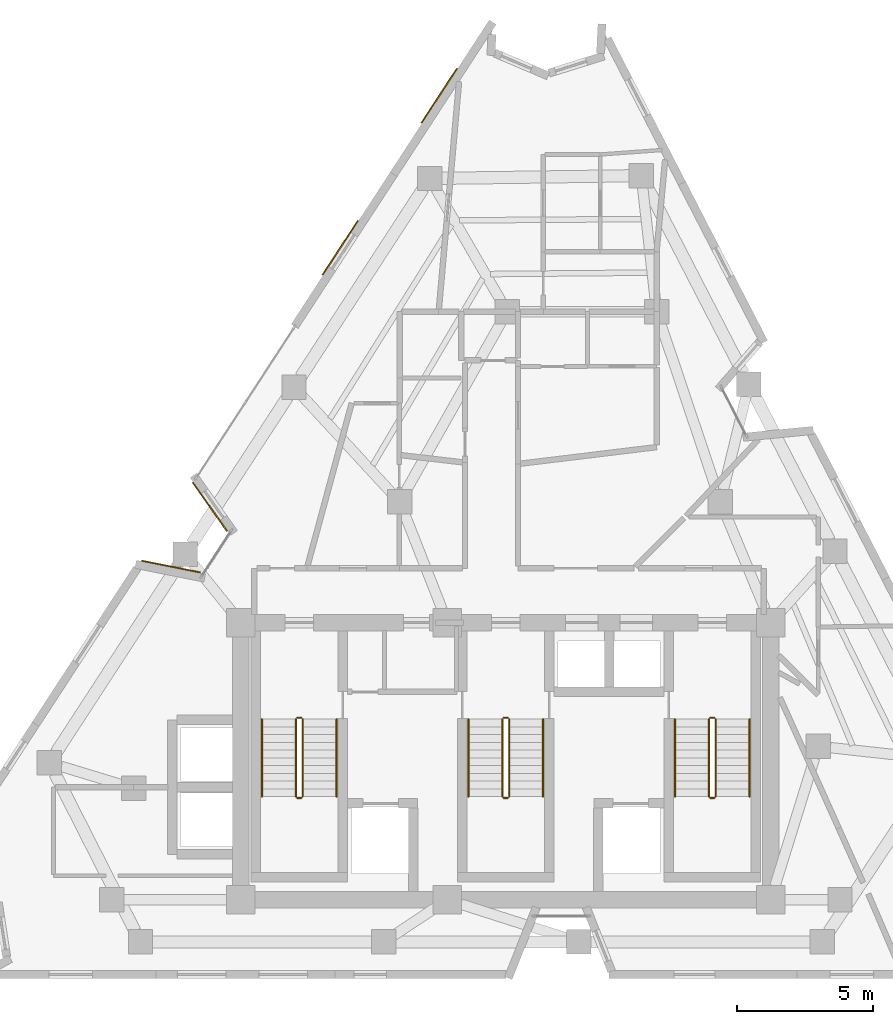
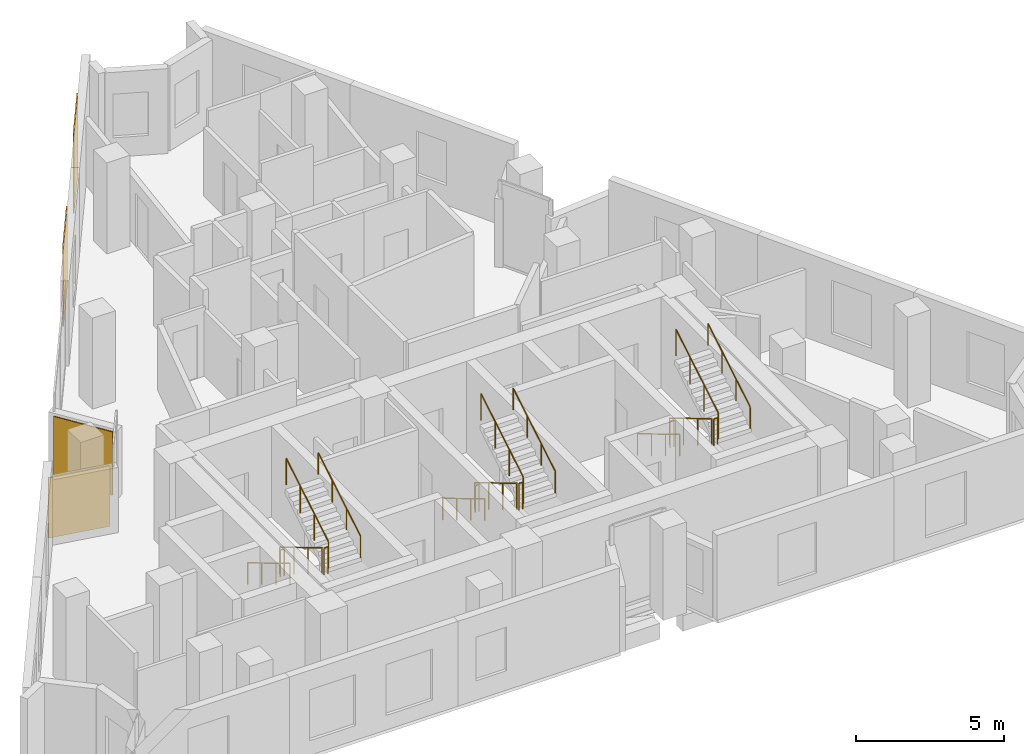
# One storey, part 9 of 9: 18 railings, 4 coverings.
"""IFC4 building model written with IfcOpenShell, lengths in metres."""

from ifc_helpers import new_model, si_unit, direction, frame, origin, origin_2d, place, context, subcontext, project, spatial, rectangle, circle, extrude, material, layer, layer_set, type_object, element, save


model = new_model("IFC4")

# Units and contexts
model_context = context("Model", 3, precision=1e-05, world=origin(), true_north=direction((0.0, 1.0)))
body_context = subcontext(model_context, "Body", "Model", "MODEL_VIEW")
ifc_project = project(units=[si_unit("LENGTHUNIT", "METRE"), si_unit("AREAUNIT", "SQUARE_METRE"), si_unit("VOLUMEUNIT", "CUBIC_METRE"), si_unit("PLANEANGLEUNIT", "RADIAN"), si_unit("MASSUNIT", "GRAM", prefix="KILO")], contexts=[model_context])

# Site, building, storey
site_placement = place(None, origin())
site = spatial("IfcSite", under=ifc_project, at=site_placement, CompositionType="ELEMENT")
building_placement = place(site_placement, origin())
building = spatial("IfcBuilding", under=site, at=building_placement, Name="Almagre Mirador Tower", CompositionType="ELEMENT")
storey_placement = place(building_placement, frame((0.0, 0.0, 214.5)))
storey = spatial("IfcBuildingStorey", under=building, at=storey_placement, Name="L55", CompositionType="ELEMENT", Elevation=214.5)

# Coverings
ifc_material_1 = material(Name="Almagre terracotta architectural cladding", Category="masonry")
ifc_layer = layer(ifc_material_1, 0.044921875)
ifc_layer_set = layer_set([ifc_layer], Name="Almagre terracotta architectural cladding")
covering_type = type_object("IfcCoveringType", Name="COV-CLAD-ALMAGRE", PredefinedType="CLADDING", material=ifc_layer_set)
covering_1_placement = place(storey_placement, frame((24.98095703125, 16.81298828125, 0.10009765625), z_axis=(0.0, 0.0, 1.0), x_axis=(0.980381414413, -0.197109822874, 0.0)))
element("IfcCovering", 1, at=covering_1_placement, inside=storey, type_object=covering_type, Name="L55 almagre terracotta pier cladding", PredefinedType="CLADDING", context=body_context, shape_type="SweptSolid", body=[
    extrude(rectangle(XDim=2.193115234375, YDim=0.044921875, at=origin_2d()), origin(), (0.0, 0.0, 1.0), 2.489990234375),
])
covering_2_placement = place(storey_placement, frame((26.41259765625, 19.012451171875, 0.10009765625), z_axis=(0.0, 0.0, 1.0), x_axis=(-0.576931374002, 0.816792623432, 0.0)))
element("IfcCovering", 2, at=covering_2_placement, inside=storey, type_object=covering_type, Name="L55 almagre terracotta pier cladding", PredefinedType="CLADDING", context=body_context, shape_type="SweptSolid", body=[
    extrude(rectangle(XDim=2.194091796875, YDim=0.044921875, at=origin_2d()), origin(), (0.0, 0.0, 1.0), 2.625),
])
for number, where, z_axis, x_axis, name in (
    (3, (31.20751953125, 28.546630859375, 0.10009765625), (0.0, 0.0, 1.0), (0.545619379119, 0.838033109805, 0.0), "L55 almagre terracotta pier cladding"),
    (4, (34.851318359375, 34.1435546875, 0.10009765625), (0.0, 0.0, 1.0), (0.545619379119, 0.838033109805, 0.0), "L55 almagre terracotta pier cladding"),
):
    element("IfcCovering", number, at=place(storey_placement, frame(where, z_axis=z_axis, x_axis=x_axis)), inside=storey, type_object=covering_type, Name=name, PredefinedType="CLADDING", context=body_context, shape_type="SweptSolid", body=[
        extrude(rectangle(XDim=2.39990234375, YDim=0.044921875, at=origin_2d()), origin(), (0.0, 0.0, 1.0), 3.300048828125),
    ])

# Railings
ifc_material_2 = material(Name="Painted galvanized steel", Category="steel")
railing_type_1 = type_object("IfcRailingType", Name="RLG-GRD-1100", PredefinedType="GUARDRAIL", material=ifc_material_2)
railing_1_placement = place(storey_placement, frame((29.574951171875, 11.199951171875, 0.17041015625)))
element("IfcRailing", 5, at=railing_1_placement, inside=storey, type_object=railing_type_1, Name="L55 ST-1 stair guard 1", PredefinedType="GUARDRAIL", context=body_context, shape_type="SweptSolid", body=[
    extrude(circle(Radius=0.02392578125, at=origin_2d()), frame((0.0, 0.0, 1.09619140625), z_axis=(0.0, -0.858199205511, 0.513316786848), x_axis=(1.0, 0.0, 0.0)), (0.0, 0.0, 1.0), 3.32080078125),
    extrude(circle(Radius=0.02099609375, at=origin_2d()), origin(), (0.0, 0.0, 1.0), 1.072021484375),
    extrude(circle(Radius=0.02099609375, at=origin_2d()), frame((0.0, -0.949951171875, 0.568115234375)), (0.0, 0.0, 1.0), 1.072021484375),
    extrude(circle(Radius=0.02099609375, at=origin_2d()), frame((0.0, -1.89990234375, 1.136474609375)), (0.0, 0.0, 1.0), 1.072021484375),
    extrude(circle(Radius=0.02099609375, at=origin_2d()), frame((0.0, -2.849853515625, 1.70458984375)), (0.0, 0.0, 1.0), 1.072021484375),
])
railing_2_placement = place(storey_placement, frame((29.625, 8.300048828125, 1.875)))
element("IfcRailing", 6, at=railing_2_placement, inside=storey, type_object=railing_type_1, Name="L55 ST-1 stair guard 2", PredefinedType="GUARDRAIL", context=body_context, shape_type="SweptSolid", body=[
    extrude(circle(Radius=0.02392578125, at=origin_2d()), frame((0.0, 0.0, 1.09619140625), z_axis=(1.0, 0.0, 0.0), x_axis=(0.0, 1.0, 0.0)), (0.0, 0.0, 1.0), 0.14990234375),
    extrude(circle(Radius=0.02099609375, at=origin_2d()), origin(), (0.0, 0.0, 1.0), 1.072021484375),
    extrude(circle(Radius=0.02099609375, at=origin_2d()), frame((0.14990234375, 0.0, 0.0)), (0.0, 0.0, 1.0), 1.072021484375),
])
railing_3_placement = place(storey_placement, frame((29.824951171875, 8.35009765625, 2.04541015625)))
element("IfcRailing", 7, at=railing_3_placement, inside=storey, type_object=railing_type_1, Name="L55 ST-1 stair guard 3", PredefinedType="GUARDRAIL", context=body_context, shape_type="SweptSolid", body=[
    extrude(circle(Radius=0.02392578125, at=origin_2d()), frame((0.0, 0.0, 1.09619140625), z_axis=(0.0, 0.858199205511, 0.513316786848), x_axis=(-1.0, 0.0, 0.0)), (0.0, 0.0, 1.0), 3.32080078125),
    extrude(circle(Radius=0.02099609375, at=origin_2d()), origin(), (0.0, 0.0, 1.0), 1.072021484375),
    extrude(circle(Radius=0.02099609375, at=origin_2d()), frame((0.0, 0.949951171875, 0.568115234375)), (0.0, 0.0, 1.0), 1.072021484375),
    extrude(circle(Radius=0.02099609375, at=origin_2d()), frame((0.0, 1.89990234375, 1.136474609375)), (0.0, 0.0, 1.0), 1.072021484375),
    extrude(circle(Radius=0.02099609375, at=origin_2d()), frame((0.0, 2.849853515625, 1.70458984375)), (0.0, 0.0, 1.0), 1.072021484375),
])
railing_4_placement = place(storey_placement, frame((29.625, 11.25, 0.0)))
element("IfcRailing", 8, at=railing_4_placement, inside=storey, type_object=railing_type_1, Name="L55 ST-1 stair guard 4", PredefinedType="GUARDRAIL", context=body_context, shape_type="SweptSolid", body=[
    extrude(circle(Radius=0.02392578125, at=origin_2d()), frame((0.0, 0.0, 1.09619140625), z_axis=(1.0, 0.0, 0.0), x_axis=(0.0, 1.0, 0.0)), (0.0, 0.0, 1.0), 0.14990234375),
    extrude(circle(Radius=0.02099609375, at=origin_2d()), origin(), (0.0, 0.0, 1.0), 1.072021484375),
    extrude(circle(Radius=0.02099609375, at=origin_2d()), frame((0.14990234375, 0.0, 0.0)), (0.0, 0.0, 1.0), 1.072021484375),
])
railing_5_placement = place(storey_placement, frame((37.175048828125, 11.199951171875, 0.17041015625)))
element("IfcRailing", 9, at=railing_5_placement, inside=storey, type_object=railing_type_1, Name="L55 ST-2 stair guard 1", PredefinedType="GUARDRAIL", context=body_context, shape_type="SweptSolid", body=[
    extrude(circle(Radius=0.02392578125, at=origin_2d()), frame((0.0, 0.0, 1.09619140625), z_axis=(0.0, -0.858199205511, 0.513316786848), x_axis=(1.0, 0.0, 0.0)), (0.0, 0.0, 1.0), 3.32080078125),
    extrude(circle(Radius=0.02099609375, at=origin_2d()), origin(), (0.0, 0.0, 1.0), 1.072021484375),
    extrude(circle(Radius=0.02099609375, at=origin_2d()), frame((0.0, -0.949951171875, 0.568115234375)), (0.0, 0.0, 1.0), 1.072021484375),
    extrude(circle(Radius=0.02099609375, at=origin_2d()), frame((0.0, -1.89990234375, 1.136474609375)), (0.0, 0.0, 1.0), 1.072021484375),
    extrude(circle(Radius=0.02099609375, at=origin_2d()), frame((0.0, -2.849853515625, 1.70458984375)), (0.0, 0.0, 1.0), 1.072021484375),
])
railing_6_placement = place(storey_placement, frame((37.22509765625, 8.300048828125, 1.875)))
element("IfcRailing", 10, at=railing_6_placement, inside=storey, type_object=railing_type_1, Name="L55 ST-2 stair guard 2", PredefinedType="GUARDRAIL", context=body_context, shape_type="SweptSolid", body=[
    extrude(circle(Radius=0.02392578125, at=origin_2d()), frame((0.0, 0.0, 1.09619140625), z_axis=(1.0, 0.0, 0.0), x_axis=(0.0, 1.0, 0.0)), (0.0, 0.0, 1.0), 0.14990234375),
    extrude(circle(Radius=0.02099609375, at=origin_2d()), origin(), (0.0, 0.0, 1.0), 1.072021484375),
    extrude(circle(Radius=0.02099609375, at=origin_2d()), frame((0.14990234375, 0.0, 0.0)), (0.0, 0.0, 1.0), 1.072021484375),
])
railing_7_placement = place(storey_placement, frame((37.425048828125, 8.35009765625, 2.04541015625)))
element("IfcRailing", 11, at=railing_7_placement, inside=storey, type_object=railing_type_1, Name="L55 ST-2 stair guard 3", PredefinedType="GUARDRAIL", context=body_context, shape_type="SweptSolid", body=[
    extrude(circle(Radius=0.02392578125, at=origin_2d()), frame((0.0, 0.0, 1.09619140625), z_axis=(0.0, 0.858199205511, 0.513316786848), x_axis=(-1.0, 0.0, 0.0)), (0.0, 0.0, 1.0), 3.32080078125),
    extrude(circle(Radius=0.02099609375, at=origin_2d()), origin(), (0.0, 0.0, 1.0), 1.072021484375),
    extrude(circle(Radius=0.02099609375, at=origin_2d()), frame((0.0, 0.949951171875, 0.568115234375)), (0.0, 0.0, 1.0), 1.072021484375),
    extrude(circle(Radius=0.02099609375, at=origin_2d()), frame((0.0, 1.89990234375, 1.136474609375)), (0.0, 0.0, 1.0), 1.072021484375),
    extrude(circle(Radius=0.02099609375, at=origin_2d()), frame((0.0, 2.849853515625, 1.70458984375)), (0.0, 0.0, 1.0), 1.072021484375),
])
railing_8_placement = place(storey_placement, frame((37.22509765625, 11.25, 0.0)))
element("IfcRailing", 12, at=railing_8_placement, inside=storey, type_object=railing_type_1, Name="L55 ST-2 stair guard 4", PredefinedType="GUARDRAIL", context=body_context, shape_type="SweptSolid", body=[
    extrude(circle(Radius=0.02392578125, at=origin_2d()), frame((0.0, 0.0, 1.09619140625), z_axis=(1.0, 0.0, 0.0), x_axis=(0.0, 1.0, 0.0)), (0.0, 0.0, 1.0), 0.14990234375),
    extrude(circle(Radius=0.02099609375, at=origin_2d()), origin(), (0.0, 0.0, 1.0), 1.072021484375),
    extrude(circle(Radius=0.02099609375, at=origin_2d()), frame((0.14990234375, 0.0, 0.0)), (0.0, 0.0, 1.0), 1.072021484375),
])
railing_9_placement = place(storey_placement, frame((44.77490234375, 11.199951171875, 0.17041015625)))
element("IfcRailing", 13, at=railing_9_placement, inside=storey, type_object=railing_type_1, Name="L55 ST-3 stair guard 1", PredefinedType="GUARDRAIL", context=body_context, shape_type="SweptSolid", body=[
    extrude(circle(Radius=0.02392578125, at=origin_2d()), frame((0.0, 0.0, 1.09619140625), z_axis=(0.0, -0.858199205511, 0.513316786848), x_axis=(1.0, 0.0, 0.0)), (0.0, 0.0, 1.0), 3.32080078125),
    extrude(circle(Radius=0.02099609375, at=origin_2d()), origin(), (0.0, 0.0, 1.0), 1.072021484375),
    extrude(circle(Radius=0.02099609375, at=origin_2d()), frame((0.0, -0.949951171875, 0.568115234375)), (0.0, 0.0, 1.0), 1.072021484375),
    extrude(circle(Radius=0.02099609375, at=origin_2d()), frame((0.0, -1.89990234375, 1.136474609375)), (0.0, 0.0, 1.0), 1.072021484375),
    extrude(circle(Radius=0.02099609375, at=origin_2d()), frame((0.0, -2.849853515625, 1.70458984375)), (0.0, 0.0, 1.0), 1.072021484375),
])
railing_10_placement = place(storey_placement, frame((44.824951171875, 8.300048828125, 1.875)))
element("IfcRailing", 14, at=railing_10_placement, inside=storey, type_object=railing_type_1, Name="L55 ST-3 stair guard 2", PredefinedType="GUARDRAIL", context=body_context, shape_type="SweptSolid", body=[
    extrude(circle(Radius=0.02392578125, at=origin_2d()), frame((0.0, 0.0, 1.09619140625), z_axis=(1.0, 0.0, 0.0), x_axis=(0.0, 1.0, 0.0)), (0.0, 0.0, 1.0), 0.150146484375),
    extrude(circle(Radius=0.02099609375, at=origin_2d()), origin(), (0.0, 0.0, 1.0), 1.072021484375),
    extrude(circle(Radius=0.02099609375, at=origin_2d()), frame((0.150146484375, 0.0, 0.0)), (0.0, 0.0, 1.0), 1.072021484375),
])
railing_11_placement = place(storey_placement, frame((45.02490234375, 8.35009765625, 2.04541015625)))
element("IfcRailing", 15, at=railing_11_placement, inside=storey, type_object=railing_type_1, Name="L55 ST-3 stair guard 3", PredefinedType="GUARDRAIL", context=body_context, shape_type="SweptSolid", body=[
    extrude(circle(Radius=0.02392578125, at=origin_2d()), frame((0.0, 0.0, 1.09619140625), z_axis=(0.0, 0.858199205511, 0.513316786848), x_axis=(-1.0, 0.0, 0.0)), (0.0, 0.0, 1.0), 3.32080078125),
    extrude(circle(Radius=0.02099609375, at=origin_2d()), origin(), (0.0, 0.0, 1.0), 1.072021484375),
    extrude(circle(Radius=0.02099609375, at=origin_2d()), frame((0.0, 0.949951171875, 0.568115234375)), (0.0, 0.0, 1.0), 1.072021484375),
    extrude(circle(Radius=0.02099609375, at=origin_2d()), frame((0.0, 1.89990234375, 1.136474609375)), (0.0, 0.0, 1.0), 1.072021484375),
    extrude(circle(Radius=0.02099609375, at=origin_2d()), frame((0.0, 2.849853515625, 1.70458984375)), (0.0, 0.0, 1.0), 1.072021484375),
])
railing_12_placement = place(storey_placement, frame((44.824951171875, 11.25, 0.0)))
element("IfcRailing", 16, at=railing_12_placement, inside=storey, type_object=railing_type_1, Name="L55 ST-3 stair guard 4", PredefinedType="GUARDRAIL", context=body_context, shape_type="SweptSolid", body=[
    extrude(circle(Radius=0.02392578125, at=origin_2d()), frame((0.0, 0.0, 1.09619140625), z_axis=(1.0, 0.0, 0.0), x_axis=(0.0, 1.0, 0.0)), (0.0, 0.0, 1.0), 0.150146484375),
    extrude(circle(Radius=0.02099609375, at=origin_2d()), origin(), (0.0, 0.0, 1.0), 1.072021484375),
    extrude(circle(Radius=0.02099609375, at=origin_2d()), frame((0.150146484375, 0.0, 0.0)), (0.0, 0.0, 1.0), 1.072021484375),
])
ifc_material_3 = material(Name="Brushed stainless steel", Category="steel")
railing_type_2 = type_object("IfcRailingType", Name="RLG-HND-915", PredefinedType="HANDRAIL", material=ifc_material_3)
railing_13_placement = place(storey_placement, frame((28.324951171875, 11.199951171875, 0.17041015625)))
element("IfcRailing", 17, at=railing_13_placement, inside=storey, type_object=railing_type_2, Name="L55 ST-1 stair handrail 1", PredefinedType="HANDRAIL", context=body_context, shape_type="SweptSolid", body=[
    extrude(circle(Radius=0.02392578125, at=origin_2d()), frame((0.0, 0.0, 0.89111328125), z_axis=(0.0, -0.858199205511, 0.513316786848), x_axis=(1.0, 0.0, 0.0)), (0.0, 0.0, 1.0), 3.32080078125),
    extrude(circle(Radius=0.02099609375, at=origin_2d()), origin(), (0.0, 0.0, 1.0), 0.866943359375),
    extrude(circle(Radius=0.02099609375, at=origin_2d()), frame((0.0, -0.949951171875, 0.568115234375)), (0.0, 0.0, 1.0), 0.866943359375),
    extrude(circle(Radius=0.02099609375, at=origin_2d()), frame((0.0, -1.89990234375, 1.136474609375)), (0.0, 0.0, 1.0), 0.866943359375),
    extrude(circle(Radius=0.02099609375, at=origin_2d()), frame((0.0, -2.849853515625, 1.70458984375)), (0.0, 0.0, 1.0), 0.866943359375),
])
railing_14_placement = place(storey_placement, frame((31.074951171875, 8.35009765625, 2.04541015625)))
element("IfcRailing", 18, at=railing_14_placement, inside=storey, type_object=railing_type_2, Name="L55 ST-1 stair handrail 2", PredefinedType="HANDRAIL", context=body_context, shape_type="SweptSolid", body=[
    extrude(circle(Radius=0.02392578125, at=origin_2d()), frame((0.0, 0.0, 0.89111328125), z_axis=(0.0, 0.858199205511, 0.513316786848), x_axis=(-1.0, 0.0, 0.0)), (0.0, 0.0, 1.0), 3.32080078125),
    extrude(circle(Radius=0.02099609375, at=origin_2d()), origin(), (0.0, 0.0, 1.0), 0.866943359375),
    extrude(circle(Radius=0.02099609375, at=origin_2d()), frame((0.0, 0.949951171875, 0.568115234375)), (0.0, 0.0, 1.0), 0.866943359375),
    extrude(circle(Radius=0.02099609375, at=origin_2d()), frame((0.0, 1.89990234375, 1.136474609375)), (0.0, 0.0, 1.0), 0.866943359375),
    extrude(circle(Radius=0.02099609375, at=origin_2d()), frame((0.0, 2.849853515625, 1.70458984375)), (0.0, 0.0, 1.0), 0.866943359375),
])
railing_15_placement = place(storey_placement, frame((35.925048828125, 11.199951171875, 0.17041015625)))
element("IfcRailing", 19, at=railing_15_placement, inside=storey, type_object=railing_type_2, Name="L55 ST-2 stair handrail 1", PredefinedType="HANDRAIL", context=body_context, shape_type="SweptSolid", body=[
    extrude(circle(Radius=0.02392578125, at=origin_2d()), frame((0.0, 0.0, 0.89111328125), z_axis=(0.0, -0.858199205511, 0.513316786848), x_axis=(1.0, 0.0, 0.0)), (0.0, 0.0, 1.0), 3.32080078125),
    extrude(circle(Radius=0.02099609375, at=origin_2d()), origin(), (0.0, 0.0, 1.0), 0.866943359375),
    extrude(circle(Radius=0.02099609375, at=origin_2d()), frame((0.0, -0.949951171875, 0.568115234375)), (0.0, 0.0, 1.0), 0.866943359375),
    extrude(circle(Radius=0.02099609375, at=origin_2d()), frame((0.0, -1.89990234375, 1.136474609375)), (0.0, 0.0, 1.0), 0.866943359375),
    extrude(circle(Radius=0.02099609375, at=origin_2d()), frame((0.0, -2.849853515625, 1.70458984375)), (0.0, 0.0, 1.0), 0.866943359375),
])
railing_16_placement = place(storey_placement, frame((38.675048828125, 8.35009765625, 2.04541015625)))
element("IfcRailing", 20, at=railing_16_placement, inside=storey, type_object=railing_type_2, Name="L55 ST-2 stair handrail 2", PredefinedType="HANDRAIL", context=body_context, shape_type="SweptSolid", body=[
    extrude(circle(Radius=0.02392578125, at=origin_2d()), frame((0.0, 0.0, 0.89111328125), z_axis=(0.0, 0.858199205511, 0.513316786848), x_axis=(-1.0, 0.0, 0.0)), (0.0, 0.0, 1.0), 3.32080078125),
    extrude(circle(Radius=0.02099609375, at=origin_2d()), origin(), (0.0, 0.0, 1.0), 0.866943359375),
    extrude(circle(Radius=0.02099609375, at=origin_2d()), frame((0.0, 0.949951171875, 0.568115234375)), (0.0, 0.0, 1.0), 0.866943359375),
    extrude(circle(Radius=0.02099609375, at=origin_2d()), frame((0.0, 1.89990234375, 1.136474609375)), (0.0, 0.0, 1.0), 0.866943359375),
    extrude(circle(Radius=0.02099609375, at=origin_2d()), frame((0.0, 2.849853515625, 1.70458984375)), (0.0, 0.0, 1.0), 0.866943359375),
])
railing_17_placement = place(storey_placement, frame((43.52490234375, 11.199951171875, 0.17041015625)))
element("IfcRailing", 21, at=railing_17_placement, inside=storey, type_object=railing_type_2, Name="L55 ST-3 stair handrail 1", PredefinedType="HANDRAIL", context=body_context, shape_type="SweptSolid", body=[
    extrude(circle(Radius=0.02392578125, at=origin_2d()), frame((0.0, 0.0, 0.89111328125), z_axis=(0.0, -0.858199205511, 0.513316786848), x_axis=(1.0, 0.0, 0.0)), (0.0, 0.0, 1.0), 3.32080078125),
    extrude(circle(Radius=0.02099609375, at=origin_2d()), origin(), (0.0, 0.0, 1.0), 0.866943359375),
    extrude(circle(Radius=0.02099609375, at=origin_2d()), frame((0.0, -0.949951171875, 0.568115234375)), (0.0, 0.0, 1.0), 0.866943359375),
    extrude(circle(Radius=0.02099609375, at=origin_2d()), frame((0.0, -1.89990234375, 1.136474609375)), (0.0, 0.0, 1.0), 0.866943359375),
    extrude(circle(Radius=0.02099609375, at=origin_2d()), frame((0.0, -2.849853515625, 1.70458984375)), (0.0, 0.0, 1.0), 0.866943359375),
])
railing_18_placement = place(storey_placement, frame((46.27490234375, 8.35009765625, 2.04541015625)))
element("IfcRailing", 22, at=railing_18_placement, inside=storey, type_object=railing_type_2, Name="L55 ST-3 stair handrail 2", PredefinedType="HANDRAIL", context=body_context, shape_type="SweptSolid", body=[
    extrude(circle(Radius=0.02392578125, at=origin_2d()), frame((0.0, 0.0, 0.89111328125), z_axis=(0.0, 0.858199205511, 0.513316786848), x_axis=(-1.0, 0.0, 0.0)), (0.0, 0.0, 1.0), 3.32080078125),
    extrude(circle(Radius=0.02099609375, at=origin_2d()), origin(), (0.0, 0.0, 1.0), 0.866943359375),
    extrude(circle(Radius=0.02099609375, at=origin_2d()), frame((0.0, 0.949951171875, 0.568115234375)), (0.0, 0.0, 1.0), 0.866943359375),
    extrude(circle(Radius=0.02099609375, at=origin_2d()), frame((0.0, 1.89990234375, 1.136474609375)), (0.0, 0.0, 1.0), 0.866943359375),
    extrude(circle(Radius=0.02099609375, at=origin_2d()), frame((0.0, 2.849853515625, 1.70458984375)), (0.0, 0.0, 1.0), 0.866943359375),
])

save(model, "model.ifc")
